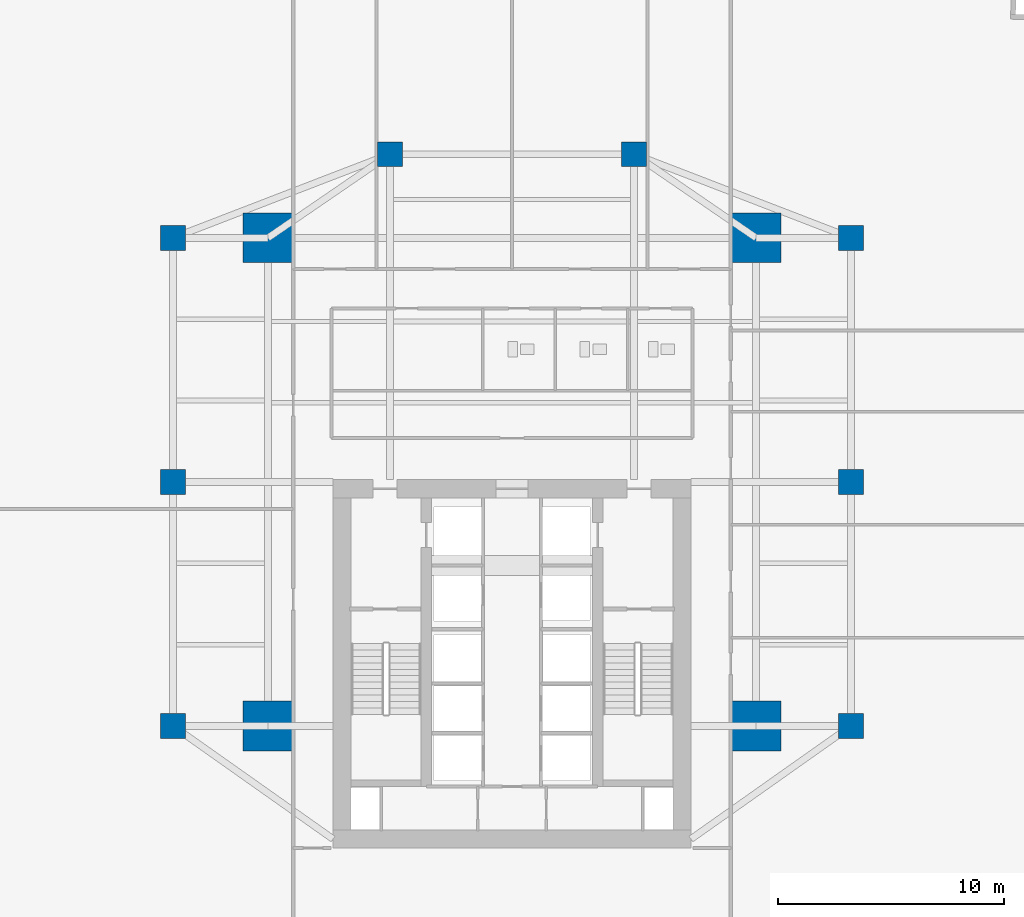
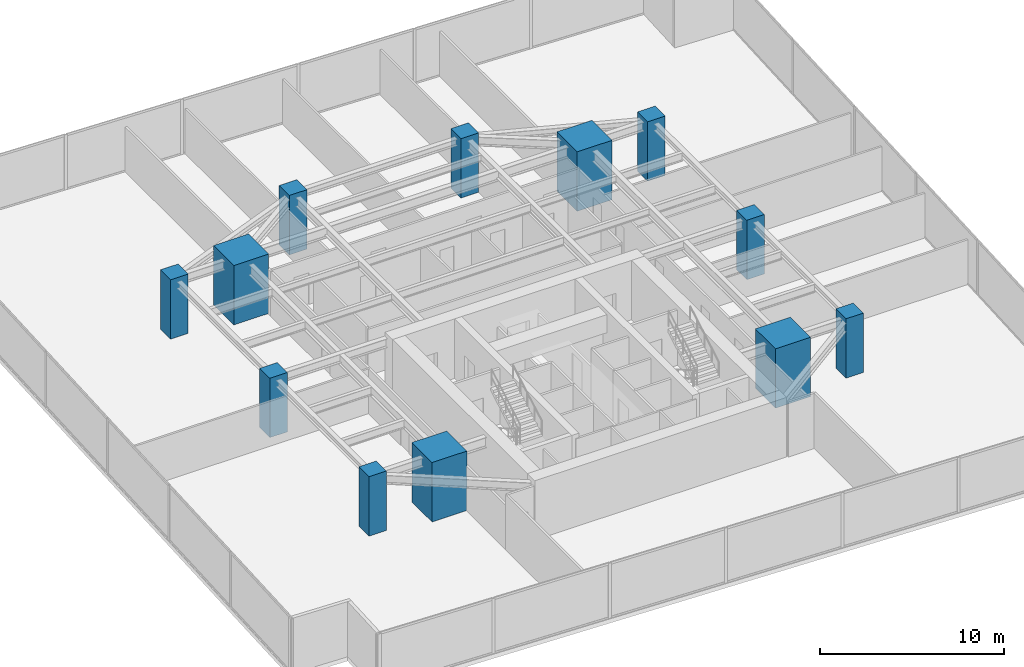
# One storey, part 1 of 30: 12 columns.
"""IFC4 building model written with IfcOpenShell, lengths in metres."""

from ifc_helpers import new_model, si_unit, direction, frame, origin, origin_2d, place, context, subcontext, project, spatial, rectangle, extrude, source, transform, mapped, material, material_profile, profile_set, type_object, type_shapes, element, save


model = new_model("IFC4")

# Units and contexts
model_context = context("Model", 3, precision=1e-05, world=origin(), true_north=direction((0.0, 1.0)))
body_context = subcontext(model_context, "Body", "Model", "MODEL_VIEW")
ifc_project = project(units=[si_unit("LENGTHUNIT", "METRE"), si_unit("AREAUNIT", "SQUARE_METRE"), si_unit("VOLUMEUNIT", "CUBIC_METRE"), si_unit("PLANEANGLEUNIT", "RADIAN"), si_unit("MASSUNIT", "GRAM", prefix="KILO")], contexts=[model_context])

# Site, building, storey
site_placement = place(None, origin())
site = spatial("IfcSite", under=ifc_project, at=site_placement, CompositionType="ELEMENT")
building_placement = place(site_placement, origin())
building = spatial("IfcBuilding", under=site, at=building_placement, Name="Krantzveldt Concourse Tower", CompositionType="ELEMENT")
storey_placement = place(building_placement, frame((0.0, 0.0, 40.800048828125)))
storey = spatial("IfcBuildingStorey", under=building, at=storey_placement, Name="L09", CompositionType="ELEMENT", Elevation=40.800048828125)

# Columns
ifc_material = material(Name="Concrete C60/75", Category="concrete")
ifc_material_profile_1 = material_profile(ifc_material, rectangle(XDim=2.199951171875, YDim=2.199951171875, at=origin_2d()), Name="Concrete C60/75", Category="concrete")
ifc_profile_set_1 = profile_set([ifc_material_profile_1], Name="Concrete C60/75 - RC 2200x2200")
column_type_1 = type_object("IfcColumnType", Name="COL-MC-2200", PredefinedType="USERDEFINED", material=ifc_profile_set_1)
shared_shape_1 = source(origin(), body_context, "Body", "SweptSolid", [
    extrude(rectangle(XDim=2.199951171875, YDim=2.199951171875, at=origin_2d()), origin(), (0.0, 0.0, 1.0), 3.949951171875),
])
type_shapes(column_type_1, [shared_shape_1])
for number, where, z_axis, x_axis, name in (
    (1, (25.199951171875, 15.89990234375, 0.0), (0.0, 0.0, 1.0), (1.0, 0.0, 0.0), "MC-SW-L09"),
    (2, (46.800048828125, 15.89990234375, 0.0), (0.0, 0.0, 1.0), (1.0, 0.0, 0.0), "MC-SE-L09"),
    (3, (46.800048828125, 37.5, 0.0), (0.0, 0.0, 1.0), (1.0, 0.0, 0.0), "MC-NE-L09"),
    (4, (25.199951171875, 37.5, 0.0), (0.0, 0.0, 1.0), (1.0, 0.0, 0.0), "MC-NW-L09"),
):
    element("IfcColumn", number, at=place(storey_placement, frame(where, z_axis=z_axis, x_axis=x_axis)), inside=storey, type_object=column_type_1, Name=name, ObjectType="MEGA COLUMN", PredefinedType="USERDEFINED", context=body_context, shape_type="MappedRepresentation", body=[
        mapped(shared_shape_1, transform((0.0, 0.0, 0.0), x_axis=(1.0, 0.0, 0.0), y_axis=(0.0, 1.0, 0.0), z_axis=(0.0, 0.0, 1.0), scale=1.0)),
    ])
ifc_material_profile_2 = material_profile(ifc_material, rectangle(XDim=1.10009765625, YDim=1.10009765625, at=origin_2d()), Name="Concrete C60/75", Category="concrete")
ifc_profile_set_2 = profile_set([ifc_material_profile_2], Name="Concrete C60/75 - RC 1100x1100")
column_type_2 = type_object("IfcColumnType", Name="COL-C-Z1", PredefinedType="COLUMN", material=ifc_profile_set_2)
shared_shape_2 = source(origin(), body_context, "Body", "SweptSolid", [
    extrude(rectangle(XDim=1.10009765625, YDim=1.10009765625, at=origin_2d()), origin(), (0.0, 0.0, 1.0), 3.949951171875),
])
type_shapes(column_type_2, [shared_shape_2])
for number, where, z_axis, x_axis, name in (
    (5, (21.0, 15.89990234375, 0.0), (0.0, 0.0, 1.0), (1.0, 0.0, 0.0), "PC-R01-L09"),
    (6, (21.0, 26.699951171875, 0.0), (0.0, 0.0, 1.0), (1.0, 0.0, 0.0), "PC-R02-L09"),
    (7, (21.0, 37.5, 0.0), (0.0, 0.0, 1.0), (1.0, 0.0, 0.0), "PC-R03-L09"),
    (8, (30.60009765625, 41.199951171875, 0.0), (0.0, 0.0, 1.0), (1.0, 0.0, 0.0), "PC-R04-L09"),
    (9, (41.39990234375, 41.199951171875, 0.0), (0.0, 0.0, 1.0), (1.0, 0.0, 0.0), "PC-R05-L09"),
    (10, (51.0, 37.5, 0.0), (0.0, 0.0, 1.0), (1.0, 0.0, 0.0), "PC-R06-L09"),
    (11, (51.0, 26.699951171875, 0.0), (0.0, 0.0, 1.0), (1.0, 0.0, 0.0), "PC-R07-L09"),
    (12, (51.0, 15.89990234375, 0.0), (0.0, 0.0, 1.0), (1.0, 0.0, 0.0), "PC-R08-L09"),
):
    element("IfcColumn", number, at=place(storey_placement, frame(where, z_axis=z_axis, x_axis=x_axis)), inside=storey, type_object=column_type_2, Name=name, PredefinedType="COLUMN", context=body_context, shape_type="MappedRepresentation", body=[
        mapped(shared_shape_2, transform((0.0, 0.0, 0.0), x_axis=(1.0, 0.0, 0.0), y_axis=(0.0, 1.0, 0.0), z_axis=(0.0, 0.0, 1.0), scale=1.0)),
    ])

save(model, "model.ifc")
